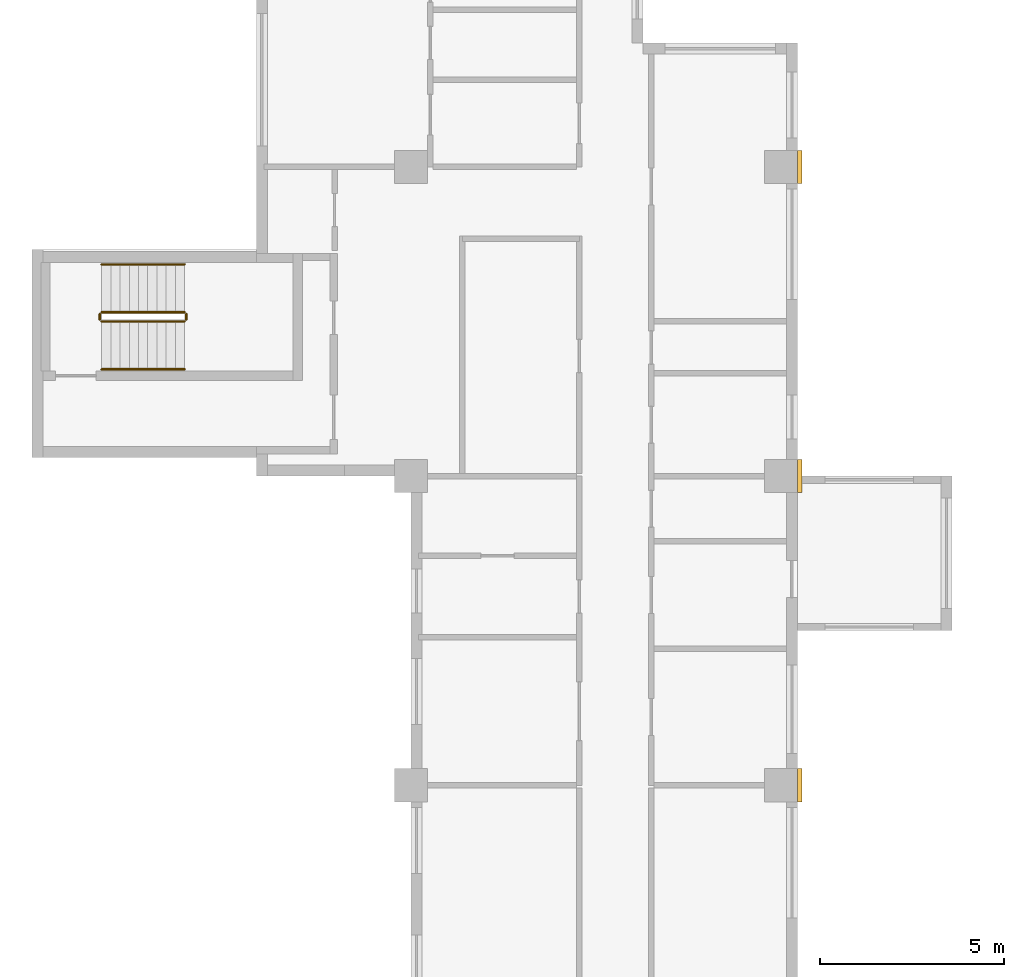
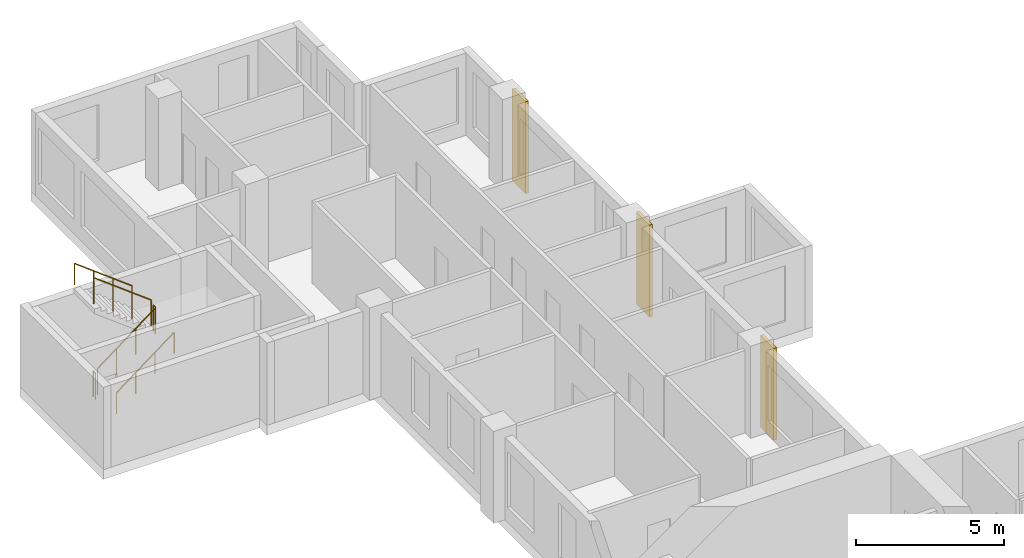
# One storey, part 12 of 12: 6 railings, 3 coverings.
"""IFC4 building model written with IfcOpenShell, lengths in metres."""

from ifc_helpers import new_model, si_unit, direction, frame, origin, origin_2d, place, context, subcontext, project, spatial, rectangle, circle, extrude, source, transform, mapped, material, type_object, element, save


model = new_model("IFC4")

# Units and contexts
model_context = context("Model", 3, precision=1e-05, world=origin(), true_north=direction((0.0, 1.0)))
body_context = subcontext(model_context, "Body", "Model", "MODEL_VIEW")
ifc_project = project(units=[si_unit("LENGTHUNIT", "METRE"), si_unit("AREAUNIT", "SQUARE_METRE"), si_unit("VOLUMEUNIT", "CUBIC_METRE"), si_unit("PLANEANGLEUNIT", "RADIAN"), si_unit("MASSUNIT", "GRAM", prefix="KILO")], contexts=[model_context])

# Site, building, storey
site_placement = place(None, origin())
site = spatial("IfcSite", under=ifc_project, at=site_placement, CompositionType="ELEMENT")
building_placement = place(site_placement, origin())
building = spatial("IfcBuilding", under=site, at=building_placement, Name="Aurelian Terraces", CompositionType="ELEMENT")
storey_placement = place(building_placement, frame((0.0, 0.0, 189.2)))
storey = spatial("IfcBuildingStorey", under=building, at=storey_placement, Name="L41", CompositionType="ELEMENT", Elevation=189.2)

# Coverings
ifc_material_1 = material(Name="Terracotta rainscreen cladding relief", Category="masonry")
covering_type = type_object("IfcCoveringType", Name="BAGUETTE-TC", PredefinedType="CLADDING", material=ifc_material_1)
shared_shape_1 = source(origin(), body_context, "Body", "SweptSolid", [
    extrude(rectangle(XDim=0.12, YDim=0.9, at=origin_2d()), origin(), (0.0, 0.0, 1.0), 3.8),
])
for number, where, z_axis, x_axis, name in (
    (1, (21.06, 29.4, -0.4), (0.0, 0.0, 1.0), (1.0, 0.0, 0.0), "BAGUETTE pier L41 7"),
    (2, (21.06, 37.8, -0.4), (0.0, 0.0, 1.0), (1.0, 0.0, 0.0), "BAGUETTE pier L41 8"),
    (3, (21.06, 46.2, -0.4), (0.0, 0.0, 1.0), (1.0, 0.0, 0.0), "BAGUETTE pier L41 9"),
):
    element("IfcCovering", number, at=place(storey_placement, frame(where, z_axis=z_axis, x_axis=x_axis)), inside=storey, type_object=covering_type, Name=name, PredefinedType="CLADDING", context=body_context, shape_type="MappedRepresentation", body=[
        mapped(shared_shape_1, transform((0.0, 0.0, 0.0), scale=1.0)),
    ])

# Railings
ifc_material_2 = material(Name="Stainless steel", Category="steel")
railing_type_1 = type_object("IfcRailingType", Name="Stair guard 1100", PredefinedType="GUARDRAIL", material=ifc_material_2)
shared_shape_2 = source(origin(), body_context, "Body", "SweptSolid", [
    extrude(circle(Radius=0.024, at=origin_2d()), frame((0.0, 0.0, 1.076), z_axis=(0.0, 1.0, 0.0), x_axis=(-1.0, 0.0, 0.0)), (0.0, 0.0, 1.0), 0.15),
    extrude(circle(Radius=0.021, at=origin_2d()), origin(), (0.0, 0.0, 1.0), 1.052),
    extrude(circle(Radius=0.021, at=origin_2d()), frame((0.0, 0.15, 0.0)), (0.0, 0.0, 1.0), 1.052),
])
for number, where, name in (
    (4, (4.4, 42.05, 1.9), "L41 S3 stair guard 2"),
    (5, (2.05, 42.05, 0.0), "L41 S3 stair guard 4"),
):
    element("IfcRailing", number, at=place(storey_placement, frame(where)), inside=storey, type_object=railing_type_1, Name=name, PredefinedType="GUARDRAIL", context=body_context, shape_type="MappedRepresentation", body=[
        mapped(shared_shape_2, transform((0.0, 0.0, 0.0), scale=1.0)),
    ])
shared_shape_3 = source(origin(), body_context, "Body", "SweptSolid", [
    extrude(circle(Radius=0.024, at=origin_2d()), frame((0.0, 0.0, 1.076), z_axis=(0.796162194123, 0.0, 0.605083267534), x_axis=(0.0, 1.0, 0.0)), (0.0, 0.0, 1.0), 2.8261),
    extrude(circle(Radius=0.021, at=origin_2d()), origin(), (0.0, 0.0, 1.0), 1.052),
    extrude(circle(Radius=0.021, at=origin_2d()), frame((0.75, 0.0, 0.57)), (0.0, 0.0, 1.0), 1.052),
    extrude(circle(Radius=0.021, at=origin_2d()), frame((1.5, 0.0, 1.14)), (0.0, 0.0, 1.0), 1.052),
    extrude(circle(Radius=0.021, at=origin_2d()), frame((2.25, 0.0, 1.71)), (0.0, 0.0, 1.0), 1.052),
])
railing_1_placement = place(storey_placement, frame((2.1, 42.0, 0.19)))
element("IfcRailing", 6, at=railing_1_placement, inside=storey, type_object=railing_type_1, Name="L41 S3 stair guard 1", PredefinedType="GUARDRAIL", context=body_context, shape_type="MappedRepresentation", body=[
    mapped(shared_shape_3, transform((0.0, 0.0, 0.0), scale=1.0)),
])
shared_shape_4 = source(origin(), body_context, "Body", "SweptSolid", [
    extrude(circle(Radius=0.024, at=origin_2d()), frame((0.0, 0.0, 1.076), z_axis=(-0.796162194123, 0.0, 0.605083267534), x_axis=(0.0, -1.0, 0.0)), (0.0, 0.0, 1.0), 2.8261),
    extrude(circle(Radius=0.021, at=origin_2d()), origin(), (0.0, 0.0, 1.0), 1.052),
    extrude(circle(Radius=0.021, at=origin_2d()), frame((-0.75, 0.0, 0.57)), (0.0, 0.0, 1.0), 1.052),
    extrude(circle(Radius=0.021, at=origin_2d()), frame((-1.5, 0.0, 1.14)), (0.0, 0.0, 1.0), 1.052),
    extrude(circle(Radius=0.021, at=origin_2d()), frame((-2.25, 0.0, 1.71)), (0.0, 0.0, 1.0), 1.052),
])
railing_2_placement = place(storey_placement, frame((4.35, 42.25, 2.09)))
element("IfcRailing", 7, at=railing_2_placement, inside=storey, type_object=railing_type_1, Name="L41 S3 stair guard 3", PredefinedType="GUARDRAIL", context=body_context, shape_type="MappedRepresentation", body=[
    mapped(shared_shape_4, transform((0.0, 0.0, 0.0), scale=1.0)),
])
railing_type_2 = type_object("IfcRailingType", Name="Stair handrail", PredefinedType="HANDRAIL", material=ifc_material_2)
shared_shape_5 = source(origin(), body_context, "Body", "SweptSolid", [
    extrude(circle(Radius=0.024, at=origin_2d()), frame((0.0, 0.0, 0.876), z_axis=(0.796162194123, 0.0, 0.605083267534), x_axis=(0.0, 1.0, 0.0)), (0.0, 0.0, 1.0), 2.8261),
    extrude(circle(Radius=0.021, at=origin_2d()), origin(), (0.0, 0.0, 1.0), 0.852),
    extrude(circle(Radius=0.021, at=origin_2d()), frame((0.75, 0.0, 0.57)), (0.0, 0.0, 1.0), 0.852),
    extrude(circle(Radius=0.021, at=origin_2d()), frame((1.5, 0.0, 1.14)), (0.0, 0.0, 1.0), 0.852),
    extrude(circle(Radius=0.021, at=origin_2d()), frame((2.25, 0.0, 1.71)), (0.0, 0.0, 1.0), 0.852),
])
railing_3_placement = place(storey_placement, frame((2.1, 40.7, 0.19)))
element("IfcRailing", 8, at=railing_3_placement, inside=storey, type_object=railing_type_2, Name="L41 S3 stair handrail 1", PredefinedType="HANDRAIL", context=body_context, shape_type="MappedRepresentation", body=[
    mapped(shared_shape_5, transform((0.0, 0.0, 0.0), scale=1.0)),
])
shared_shape_6 = source(origin(), body_context, "Body", "SweptSolid", [
    extrude(circle(Radius=0.024, at=origin_2d()), frame((0.0, 0.0, 0.876), z_axis=(-0.796162194123, 0.0, 0.605083267534), x_axis=(0.0, -1.0, 0.0)), (0.0, 0.0, 1.0), 2.8261),
    extrude(circle(Radius=0.021, at=origin_2d()), origin(), (0.0, 0.0, 1.0), 0.852),
    extrude(circle(Radius=0.021, at=origin_2d()), frame((-0.75, 0.0, 0.57)), (0.0, 0.0, 1.0), 0.852),
    extrude(circle(Radius=0.021, at=origin_2d()), frame((-1.5, 0.0, 1.14)), (0.0, 0.0, 1.0), 0.852),
    extrude(circle(Radius=0.021, at=origin_2d()), frame((-2.25, 0.0, 1.71)), (0.0, 0.0, 1.0), 0.852),
])
railing_4_placement = place(storey_placement, frame((4.35, 43.55, 2.09)))
element("IfcRailing", 9, at=railing_4_placement, inside=storey, type_object=railing_type_2, Name="L41 S3 stair handrail 2", PredefinedType="HANDRAIL", context=body_context, shape_type="MappedRepresentation", body=[
    mapped(shared_shape_6, transform((0.0, 0.0, 0.0), scale=1.0)),
])

save(model, "model.ifc")
